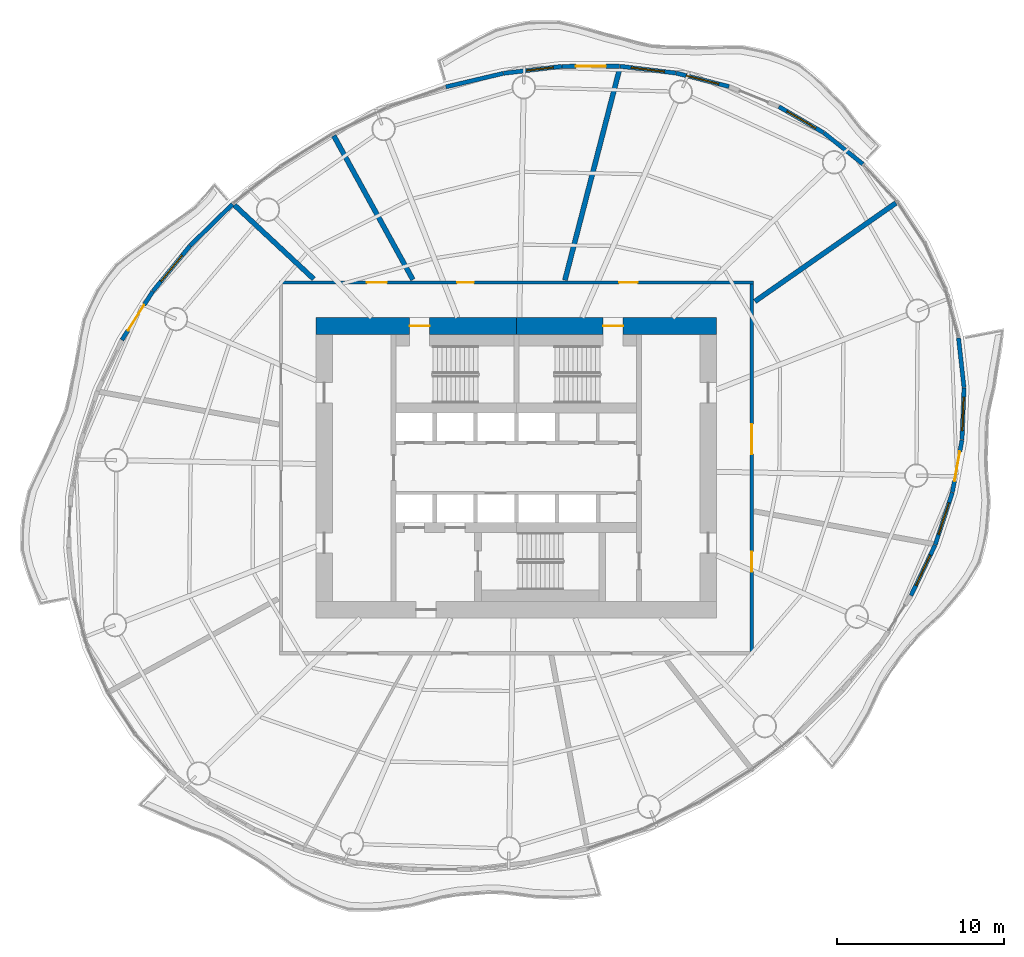
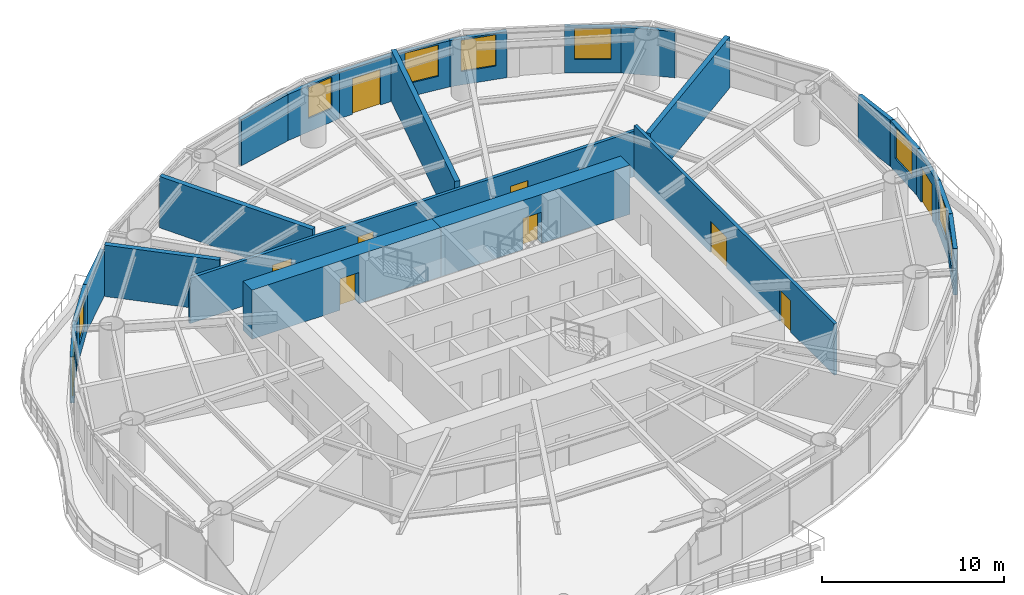
# One storey, part 10 of 14: 23 walls, 10 doors, 8 windows, 18 openings.
"""IFC4 building model written with IfcOpenShell, lengths in metres."""

from ifc_helpers import new_model, si_unit, direction, frame, frame_2d, origin, place, context, subcontext, project, spatial, rectangle, extrude, material, layer, layer_set, type_object, element, fill, save


model = new_model("IFC4")

# Units and contexts
model_context = context("Model", 3, precision=1e-05, world=origin(), true_north=direction((0.0, 1.0)))
body_context = subcontext(model_context, "Body", "Model", "MODEL_VIEW")
ifc_project = project(units=[si_unit("LENGTHUNIT", "METRE"), si_unit("AREAUNIT", "SQUARE_METRE"), si_unit("VOLUMEUNIT", "CUBIC_METRE"), si_unit("PLANEANGLEUNIT", "RADIAN"), si_unit("MASSUNIT", "GRAM", prefix="KILO")], contexts=[model_context])

# Site, building, storey
site_placement = place(None, origin())
site = spatial("IfcSite", under=ifc_project, at=site_placement, CompositionType="ELEMENT")
building_placement = place(site_placement, origin())
building = spatial("IfcBuilding", under=site, at=building_placement, Name="Vermilion Reach Broadcast Tower", CompositionType="ELEMENT")
storey_placement = place(building_placement, frame((0.0, 0.0, 150.60009765625)))
storey = spatial("IfcBuildingStorey", under=building, at=storey_placement, Name="L35", CompositionType="ELEMENT", Elevation=150.60009765625)

# Wall, opening, door
ifc_material_1 = material(Name="Concrete C70", Category="concrete")
ifc_layer_1 = layer(ifc_material_1, 1.0)
ifc_layer_set_1 = layer_set([ifc_layer_1], Name="Core outer wall 1000 mm Concrete C70")
wall_type_1 = type_object("IfcWallType", Name="Core outer wall 1000 mm Concrete C70", PredefinedType="SHEAR", material=ifc_layer_set_1)
wall_1_placement = place(storey_placement, frame((6.0, 8.5, 0.0), z_axis=(0.0, 0.0, 1.0), x_axis=(-1.0, 0.0, 0.0)))
wall_1 = element("IfcWall", 1, at=wall_1_placement, inside=storey, type_object=wall_type_1, Name="L35 core wall onE", PredefinedType="SHEAR", context=body_context, shape_type="SweptSolid", body=[
    extrude(rectangle(XDim=12.0, YDim=1.0, at=frame_2d((6.0, 0.0))), origin(), (0.0, 0.0, 1.0), 3.2998046875),
])
opening_1_placement = place(wall_1_placement, frame((5.60009765625, 0.0, 0.0)))
opening_1 = element("IfcOpeningElement", 2, at=opening_1_placement, cuts=wall_1, Name="Opening D01", PredefinedType="OPENING", context=body_context, shape_type="SweptSolid", body=[
    extrude(rectangle(XDim=1.199951171875, YDim=2.10009765625, at=frame_2d((0.60009765625, 1.050048828125))), frame((0.0, 0.510009765625, 0.0), z_axis=(0.0, -1.0, 0.0), x_axis=(1.0, 0.0, 0.0)), (0.0, 0.0, 1.0), 1.02001953125),
])
ifc_material_2 = material(Name="Painted steel fire door", Category="steel")
door_type_1 = type_object("IfcDoorType", Name="Stair door 1200 x 2100", OperationType="DOUBLE_DOOR_SINGLE_SWING", PredefinedType="NOTDEFINED", material=ifc_material_2)
door_1_placement = place(opening_1_placement, origin())
door_1 = element("IfcDoor", 3, at=door_1_placement, inside=storey, type_object=door_type_1, Name="L35 stair door ST2", OperationType="DOUBLE_DOOR_SINGLE_SWING", OverallHeight=2.10009765625, OverallWidth=1.199951171875, PredefinedType="NOTDEFINED", context=body_context, shape_type="SweptSolid", body=[
    extrude(rectangle(XDim=1.199951171875, YDim=2.10009765625, at=frame_2d((0.60009765625, 1.050048828125))), frame((0.0, 0.02490234375, 0.0), z_axis=(0.0, -1.0, 0.0), x_axis=(1.0, 0.0, 0.0)), (0.0, 0.0, 1.0), 0.050048828125),
])
fill(opening_1, door_1)

wall_2_placement = place(storey_placement, frame((-6.0, 8.5, 0.0), z_axis=(0.0, 0.0, 1.0), x_axis=(-1.0, 0.0, 0.0)))
wall_2 = element("IfcWall", 4, at=wall_2_placement, inside=storey, type_object=wall_type_1, Name="L35 core wall onW", PredefinedType="SHEAR", context=body_context, shape_type="SweptSolid", body=[
    extrude(rectangle(XDim=12.0, YDim=1.0, at=frame_2d((6.0, 0.0))), origin(), (0.0, 0.0, 1.0), 3.2998046875),
])
opening_2_placement = place(wall_2_placement, frame((5.199951171875, 0.0, 0.0)))
opening_2 = element("IfcOpeningElement", 5, at=opening_2_placement, cuts=wall_2, Name="Opening D01", PredefinedType="OPENING", context=body_context, shape_type="SweptSolid", body=[
    extrude(rectangle(XDim=1.199951171875, YDim=2.10009765625, at=frame_2d((0.60009765625, 1.050048828125))), frame((0.0, 0.510009765625, 0.0), z_axis=(0.0, -1.0, 0.0), x_axis=(1.0, 0.0, 0.0)), (0.0, 0.0, 1.0), 1.02001953125),
])
door_2_placement = place(opening_2_placement, origin())
door_2 = element("IfcDoor", 6, at=door_2_placement, inside=storey, type_object=door_type_1, Name="L35 stair door ST1", OperationType="DOUBLE_DOOR_SINGLE_SWING", OverallHeight=2.10009765625, OverallWidth=1.199951171875, PredefinedType="NOTDEFINED", context=body_context, shape_type="SweptSolid", body=[
    extrude(rectangle(XDim=1.199951171875, YDim=2.10009765625, at=frame_2d((0.60009765625, 1.050048828125))), frame((0.0, 0.02490234375, 0.0), z_axis=(0.0, -1.0, 0.0), x_axis=(1.0, 0.0, 0.0)), (0.0, 0.0, 1.0), 0.050048828125),
])
fill(opening_2, door_2)

# Wall, openings, doors
ifc_material_3 = material(Name="Fire-rated gypsum board partition")
ifc_layer_2 = layer(ifc_material_3, 0.199951171875)
ifc_layer_set_2 = layer_set([ifc_layer_2], Name="Corridor wall 200 fire-rated")
wall_type_2 = type_object("IfcWallType", Name="Corridor wall 200 fire-rated", PredefinedType="PARTITIONING", material=ifc_layer_set_2)
wall_3_placement = place(storey_placement, frame((8.10009765625, 11.0, 0.0), z_axis=(0.0, 0.0, 1.0), x_axis=(0.0, -1.0, 0.0)))
wall_3 = element("IfcWall", 7, at=wall_3_placement, inside=storey, type_object=wall_type_2, Name="Corridor wall 35.E", PredefinedType="PARTITIONING", context=body_context, shape_type="SweptSolid", body=[
    extrude(rectangle(XDim=22.0, YDim=0.199951171875, at=frame_2d((11.0, 0.0))), origin(), (0.0, 0.0, 1.0), 3.449951171875),
])
opening_3_placement = place(wall_3_placement, frame((16.014404296875, 0.0, 0.0)))
opening_3 = element("IfcOpeningElement", 8, at=opening_3_placement, cuts=wall_3, Name="Opening D26", PredefinedType="OPENING", context=body_context, shape_type="SweptSolid", body=[
    extrude(rectangle(XDim=1.199951171875, YDim=2.10009765625, at=frame_2d((0.60009765625, 1.050048828125))), frame((0.0, 0.10986328125, 0.0), z_axis=(0.0, -1.0, 0.0), x_axis=(1.0, 0.0, 0.0)), (0.0, 0.0, 1.0), 0.219970703125),
])
opening_4_placement = place(wall_3_placement, frame((8.381103515625, 0.0, 0.0)))
opening_4 = element("IfcOpeningElement", 9, at=opening_4_placement, cuts=wall_3, Name="Opening D21", PredefinedType="OPENING", context=body_context, shape_type="SweptSolid", body=[
    extrude(rectangle(XDim=1.800048828125, YDim=2.10009765625, at=frame_2d((0.89990234375, 1.050048828125))), frame((0.0, 0.10986328125, 0.0), z_axis=(0.0, -1.0, 0.0), x_axis=(1.0, 0.0, 0.0)), (0.0, 0.0, 1.0), 0.219970703125),
])
ifc_material_4 = material(Name="Timber door leaf", Category="wood")
door_type_2 = type_object("IfcDoorType", Name="Door pair 1800x2100", OperationType="NOTDEFINED", PredefinedType="DOOR", material=ifc_material_4)
door_3_placement = place(opening_4_placement, origin())
door_3 = element("IfcDoor", 10, at=door_3_placement, inside=storey, type_object=door_type_2, Name="Door 35.10", OperationType="DOUBLE_DOOR_SINGLE_SWING", OverallHeight=2.10009765625, OverallWidth=1.800048828125, PredefinedType="DOOR", context=body_context, shape_type="SweptSolid", body=[
    extrude(rectangle(XDim=1.800048828125, YDim=2.10009765625, at=frame_2d((0.89990234375, 1.050048828125))), frame((0.0, 0.02490234375, 0.0), z_axis=(0.0, -1.0, 0.0), x_axis=(1.0, 0.0, 0.0)), (0.0, 0.0, 1.0), 0.050048828125),
])
fill(opening_4, door_3)
ifc_material_5 = material(Name="Acoustic timber door leaf", Category="wood")
door_type_3 = type_object("IfcDoorType", Name="Door single 1200x2100", OperationType="NOTDEFINED", PredefinedType="DOOR", material=ifc_material_5)
door_4_placement = place(opening_3_placement, origin())
door_4 = element("IfcDoor", 11, at=door_4_placement, inside=storey, type_object=door_type_3, Name="Door 35.09", OperationType="SINGLE_SWING_LEFT", OverallHeight=2.10009765625, OverallWidth=1.199951171875, PredefinedType="DOOR", context=body_context, shape_type="SweptSolid", body=[
    extrude(rectangle(XDim=1.199951171875, YDim=2.10009765625, at=frame_2d((0.60009765625, 1.050048828125))), frame((0.0, 0.02490234375, 0.0), z_axis=(0.0, -1.0, 0.0), x_axis=(1.0, 0.0, 0.0)), (0.0, 0.0, 1.0), 0.050048828125),
])
fill(opening_3, door_4)

# Walls
ifc_material_6 = material(Name="Double-leaf plasterboard on isolated steel stud", Category="steel")
ifc_layer_3 = layer(ifc_material_6, 0.300048828125)
ifc_layer_set_3 = layer_set([ifc_layer_3], Name="Partition 300 acoustic double leaf")
wall_type_3 = type_object("IfcWallType", Name="Partition 300 acoustic double leaf", PredefinedType="PARTITIONING", material=ifc_layer_set_3)
wall_4_placement = place(storey_placement, frame((16.730712890625, 15.8642578125, 0.0), z_axis=(0.0, 0.0, 1.0), x_axis=(-0.820033028479, -0.572316199494, 0.0)))
element("IfcWall", 12, at=wall_4_placement, inside=storey, type_object=wall_type_3, Name="Partition 35.01", PredefinedType="PARTITIONING", context=body_context, shape_type="SweptSolid", body=[
    extrude(rectangle(XDim=10.298095703125, YDim=0.300048828125, at=frame_2d((5.14892578125, 0.0))), origin(), (0.0, 0.0, 1.0), 3.449951171875),
])
wall_5_placement = place(storey_placement, frame((0.191650390625, 23.93115234375, 0.0), z_axis=(0.0, 0.0, 1.0), x_axis=(-0.25047941352, -0.968121925897, 0.0)))
element("IfcWall", 13, at=wall_5_placement, inside=storey, type_object=wall_type_3, Name="Partition 35.02", PredefinedType="PARTITIONING", context=body_context, shape_type="SweptSolid", body=[
    extrude(rectangle(XDim=13.111572265625, YDim=0.300048828125, at=frame_2d((6.5556640625, 0.0))), origin(), (0.0, 0.0, 1.0), 3.449951171875),
])
wall_6_placement = place(storey_placement, frame((-16.936767578125, 19.893798828125, 0.0), z_axis=(0.0, 0.0, 1.0), x_axis=(0.48175299215, -0.87630705495, 0.0)))
element("IfcWall", 14, at=wall_6_placement, inside=storey, type_object=wall_type_3, Name="Partition 35.03", PredefinedType="PARTITIONING", context=body_context, shape_type="SweptSolid", body=[
    extrude(rectangle(XDim=9.838623046875, YDim=0.300048828125, at=frame_2d((4.91943359375, 0.0))), origin(), (0.0, 0.0, 1.0), 3.449951171875),
])
wall_7_placement = place(storey_placement, frame((-22.883056640625, 15.73681640625, 0.0), z_axis=(0.0, 0.0, 1.0), x_axis=(0.731506509166, -0.681834457217, 0.0)))
element("IfcWall", 15, at=wall_7_placement, inside=storey, type_object=wall_type_3, Name="Partition 35.04", PredefinedType="PARTITIONING", context=body_context, shape_type="SweptSolid", body=[
    extrude(rectangle(XDim=6.49267578125, YDim=0.300048828125, at=frame_2d((3.246337890625, 0.0))), origin(), (0.0, 0.0, 1.0), 3.449951171875),
])
ifc_material_7 = material(Name="Terracotta rainscreen cladding", Category="masonry")
ifc_layer_4 = layer(ifc_material_7, 0.25)
ifc_layer_set_4 = layer_set([ifc_layer_4], Name="Terracotta rainscreen wall 250")
wall_type_4 = type_object("IfcWallType", Name="Terracotta rainscreen wall 250", PredefinedType="SOLIDWALL", material=ifc_layer_set_4)
wall_8_placement = place(storey_placement, frame((14.757568359375, 18.19384765625, 0.0), z_axis=(0.0, 0.0, 1.0), x_axis=(-0.780485864534, 0.625173428148, 0.0)))
element("IfcWall", 16, at=wall_8_placement, inside=storey, type_object=wall_type_4, Name="External wall L35 02", PredefinedType="SOLIDWALL", context=body_context, shape_type="SweptSolid", body=[
    extrude(rectangle(XDim=2.986572265625, YDim=0.25, at=frame_2d((1.4931640625, 0.0))), origin(), (0.0, 0.0, 1.0), 3.099853515625),
])

# Wall, opening, window
wall_9_placement = place(storey_placement, frame((12.404541015625, 20.076171875, 0.0), z_axis=(0.0, 0.0, 1.0), x_axis=(-0.864615512978, 0.502434089925, 0.0)))
wall_9 = element("IfcWall", 17, at=wall_9_placement, inside=storey, type_object=wall_type_4, Name="External wall L35 03", PredefinedType="SOLIDWALL", context=body_context, shape_type="SweptSolid", body=[
    extrude(rectangle(XDim=3.0966796875, YDim=0.25, at=frame_2d((1.54833984375, 0.0))), origin(), (0.0, 0.0, 1.0), 3.099853515625),
])
opening_5_placement = place(wall_9_placement, frame((0.54833984375, 0.0, 0.89990234375)))
opening_5 = element("IfcOpeningElement", 18, at=opening_5_placement, cuts=wall_9, Name="Opening W03", PredefinedType="OPENING", context=body_context, shape_type="SweptSolid", body=[
    extrude(rectangle(XDim=2.0, YDim=2.10009765625, at=frame_2d((1.0, 1.050048828125))), frame((0.0, 0.135009765625, 0.0), z_axis=(0.0, -1.0, 0.0), x_axis=(1.0, 0.0, 0.0)), (0.0, 0.0, 1.0), 0.27001953125),
])
ifc_material_8 = material(Name="Low-e laminated clear glass in aluminium frame", Category="aluminium")
window_type_1 = type_object("IfcWindowType", Name="Punched window 2000 x 2100 sill 900", PartitioningType="SINGLE_PANEL", PredefinedType="WINDOW", material=ifc_material_8)
window_1_placement = place(opening_5_placement, origin())
window_1 = element("IfcWindow", 19, at=window_1_placement, inside=storey, type_object=window_type_1, Name="Window L35 03", OverallHeight=2.10009765625, OverallWidth=2.0, PartitioningType="SINGLE_PANEL", PredefinedType="WINDOW", context=body_context, shape_type="SweptSolid", body=[
    extrude(rectangle(XDim=2.0, YDim=2.10009765625, at=frame_2d((1.0, 1.050048828125))), frame((0.0, 0.030029296875, 0.0), z_axis=(0.0, -1.0, 0.0), x_axis=(1.0, 0.0, 0.0)), (0.0, 0.0, 1.0), 0.06005859375),
])
fill(opening_5, window_1)

wall_10_placement = place(storey_placement, frame((6.7333984375, 22.842041015625, 0.0), z_axis=(0.0, 0.0, 1.0), x_axis=(-0.969199069112, 0.246278631701, 0.0)))
wall_10 = element("IfcWall", 20, at=wall_10_placement, inside=storey, type_object=wall_type_4, Name="External wall L35 05", PredefinedType="SOLIDWALL", context=body_context, shape_type="SweptSolid", body=[
    extrude(rectangle(XDim=3.267333984375, YDim=0.25, at=frame_2d((1.6337890625, 0.0))), origin(), (0.0, 0.0, 1.0), 3.099853515625),
])
opening_6_placement = place(wall_10_placement, frame((0.6337890625, 0.0, 0.89990234375)))
opening_6 = element("IfcOpeningElement", 21, at=opening_6_placement, cuts=wall_10, Name="Opening W03", PredefinedType="OPENING", context=body_context, shape_type="SweptSolid", body=[
    extrude(rectangle(XDim=2.0, YDim=2.10009765625, at=frame_2d((1.0, 1.050048828125))), frame((0.0, 0.135009765625, 0.0), z_axis=(0.0, -1.0, 0.0), x_axis=(1.0, 0.0, 0.0)), (0.0, 0.0, 1.0), 0.27001953125),
])
window_2_placement = place(opening_6_placement, origin())
window_2 = element("IfcWindow", 22, at=window_2_placement, inside=storey, type_object=window_type_1, Name="Window L35 05", OverallHeight=2.10009765625, OverallWidth=2.0, PartitioningType="SINGLE_PANEL", PredefinedType="WINDOW", context=body_context, shape_type="SweptSolid", body=[
    extrude(rectangle(XDim=2.0, YDim=2.10009765625, at=frame_2d((1.0, 1.050048828125))), frame((0.0, 0.030029296875, 0.0), z_axis=(0.0, -1.0, 0.0), x_axis=(1.0, 0.0, 0.0)), (0.0, 0.0, 1.0), 0.06005859375),
])
fill(opening_6, window_2)

wall_11_placement = place(storey_placement, frame((3.54296875, 23.651123046875, 0.0), z_axis=(0.0, 0.0, 1.0), x_axis=(-0.992754830244, 0.120157592466, 0.0)))
wall_11 = element("IfcWall", 23, at=wall_11_placement, inside=storey, type_object=wall_type_4, Name="External wall L35 06", PredefinedType="SOLIDWALL", context=body_context, shape_type="SweptSolid", body=[
    extrude(rectangle(XDim=3.356689453125, YDim=0.25, at=frame_2d((1.67822265625, 0.0))), origin(), (0.0, 0.0, 1.0), 3.099853515625),
])
opening_7_placement = place(wall_11_placement, frame((0.678466796875, 0.0, 0.89990234375)))
opening_7 = element("IfcOpeningElement", 24, at=opening_7_placement, cuts=wall_11, Name="Opening W03", PredefinedType="OPENING", context=body_context, shape_type="SweptSolid", body=[
    extrude(rectangle(XDim=2.0, YDim=2.10009765625, at=frame_2d((1.0, 1.050048828125))), frame((0.0, 0.135009765625, 0.0), z_axis=(0.0, -1.0, 0.0), x_axis=(1.0, 0.0, 0.0)), (0.0, 0.0, 1.0), 0.27001953125),
])
window_3_placement = place(opening_7_placement, origin())
window_3 = element("IfcWindow", 25, at=window_3_placement, inside=storey, type_object=window_type_1, Name="Window L35 06", OverallHeight=2.10009765625, OverallWidth=2.0, PartitioningType="SINGLE_PANEL", PredefinedType="WINDOW", context=body_context, shape_type="SweptSolid", body=[
    extrude(rectangle(XDim=2.0, YDim=2.10009765625, at=frame_2d((1.0, 1.050048828125))), frame((0.0, 0.030029296875, 0.0), z_axis=(0.0, -1.0, 0.0), x_axis=(1.0, 0.0, 0.0)), (0.0, 0.0, 1.0), 0.06005859375),
])
fill(opening_7, window_3)

# Wall, opening, door
wall_12_placement = place(storey_placement, frame((0.187255859375, 24.055908203125, 0.0), z_axis=(0.0, 0.0, 1.0), x_axis=(-0.999998549944, -0.001702970638, 0.0)))
wall_12 = element("IfcWall", 26, at=wall_12_placement, inside=storey, type_object=wall_type_4, Name="External wall L35 07", PredefinedType="SOLIDWALL", context=body_context, shape_type="SweptSolid", body=[
    extrude(rectangle(XDim=3.440673828125, YDim=0.25, at=frame_2d((1.72021484375, 0.0))), origin(), (0.0, 0.0, 1.0), 3.099853515625),
])
opening_8_placement = place(wall_12_placement, frame((0.820068359375, 0.0, 0.0)))
opening_8 = element("IfcOpeningElement", 27, at=opening_8_placement, cuts=wall_12, Name="Opening D70", PredefinedType="OPENING", context=body_context, shape_type="SweptSolid", body=[
    extrude(rectangle(XDim=1.800048828125, YDim=2.39990234375, at=frame_2d((0.89990234375, 1.199951171875))), frame((0.0, 0.135009765625, 0.0), z_axis=(0.0, -1.0, 0.0), x_axis=(1.0, 0.0, 0.0)), (0.0, 0.0, 1.0), 0.27001953125),
])
ifc_material_9 = material(Name="Low-e laminated clear glass in aluminium frame", Category="aluminium")
door_type_4 = type_object("IfcDoorType", Name="Balcony sliding door 1800 x 2400", OperationType="DOUBLE_DOOR_SLIDING", PredefinedType="DOOR", material=ifc_material_9)
door_5_placement = place(opening_8_placement, origin())
door_5 = element("IfcDoor", 28, at=door_5_placement, inside=storey, type_object=door_type_4, Name="Balcony door L35 run 02", OperationType="DOUBLE_DOOR_SLIDING", OverallHeight=2.39990234375, OverallWidth=1.800048828125, PredefinedType="DOOR", context=body_context, shape_type="SweptSolid", body=[
    extrude(rectangle(XDim=1.800048828125, YDim=2.39990234375, at=frame_2d((0.89990234375, 1.199951171875))), frame((0.0, 0.02490234375, 0.0), z_axis=(0.0, -1.0, 0.0), x_axis=(1.0, 0.0, 0.0)), (0.0, 0.0, 1.0), 0.050048828125),
])
fill(opening_8, door_5)

# Wall, opening, window
wall_13_placement = place(storey_placement, frame((-3.27587890625, 24.048583984375, 0.0), z_axis=(0.0, 0.0, 1.0), x_axis=(-0.992969234445, -0.11837271411, 0.0)))
wall_13 = element("IfcWall", 29, at=wall_13_placement, inside=storey, type_object=wall_type_4, Name="External wall L35 08", PredefinedType="SOLIDWALL", context=body_context, shape_type="SweptSolid", body=[
    extrude(rectangle(XDim=3.514404296875, YDim=0.25, at=frame_2d((1.75732421875, 0.0))), origin(), (0.0, 0.0, 1.0), 3.099853515625),
])
opening_9_placement = place(wall_13_placement, frame((0.507080078125, 0.0, 0.89990234375)))
opening_9 = element("IfcOpeningElement", 30, at=opening_9_placement, cuts=wall_13, Name="Opening W04", PredefinedType="OPENING", context=body_context, shape_type="SweptSolid", body=[
    extrude(rectangle(XDim=1.60009765625, YDim=2.10009765625, at=frame_2d((0.800048828125, 1.050048828125))), frame((0.0, 0.135009765625, 0.0), z_axis=(0.0, -1.0, 0.0), x_axis=(1.0, 0.0, 0.0)), (0.0, 0.0, 1.0), 0.27001953125),
])
ifc_material_10 = material(Name="Low-e laminated clear glass in aluminium frame", Category="aluminium")
window_type_2 = type_object("IfcWindowType", Name="Punched window 1600 x 2100 sill 900", PartitioningType="SINGLE_PANEL", PredefinedType="WINDOW", material=ifc_material_10)
window_4_placement = place(opening_9_placement, origin())
window_4 = element("IfcWindow", 31, at=window_4_placement, inside=storey, type_object=window_type_2, Name="Window L35 08", OverallHeight=2.10009765625, OverallWidth=1.60009765625, PartitioningType="SINGLE_PANEL", PredefinedType="WINDOW", context=body_context, shape_type="SweptSolid", body=[
    extrude(rectangle(XDim=1.60009765625, YDim=2.10009765625, at=frame_2d((0.800048828125, 1.050048828125))), frame((0.0, 0.030029296875, 0.0), z_axis=(0.0, -1.0, 0.0), x_axis=(1.0, 0.0, 0.0)), (0.0, 0.0, 1.0), 0.06005859375),
])
fill(opening_9, window_4)

# Walls
wall_14_placement = place(storey_placement, frame((-6.787353515625, 23.62890625, 0.0), z_axis=(0.0, 0.0, 1.0), x_axis=(-0.973349080419, -0.229328514683, 0.0)))
element("IfcWall", 32, at=wall_14_placement, inside=storey, type_object=wall_type_4, Name="External wall L35 09", PredefinedType="SOLIDWALL", context=body_context, shape_type="SweptSolid", body=[
    extrude(rectangle(XDim=3.529052734375, YDim=0.25, at=frame_2d((1.7646484375, 0.0))), origin(), (0.0, 0.0, 1.0), 3.099853515625),
])
wall_15_placement = place(storey_placement, frame((-23.004638671875, 15.79248046875, 0.0), z_axis=(0.0, 0.0, 1.0), x_axis=(-0.715154193922, -0.698966722324, 0.0)))
element("IfcWall", 33, at=wall_15_placement, inside=storey, type_object=wall_type_4, Name="External wall L35 14", PredefinedType="SOLIDWALL", context=body_context, shape_type="SweptSolid", body=[
    extrude(rectangle(XDim=3.529296875, YDim=0.25, at=frame_2d((1.7646484375, 0.0))), origin(), (0.0, 0.0, 1.0), 3.099853515625),
])

# Wall, opening, window
wall_16_placement = place(storey_placement, frame((-25.54345703125, 13.3095703125, 0.0), z_axis=(0.0, 0.0, 1.0), x_axis=(-0.631962066668, -0.774999320188, 0.0)))
wall_16 = element("IfcWall", 34, at=wall_16_placement, inside=storey, type_object=wall_type_4, Name="External wall L35 15", PredefinedType="SOLIDWALL", context=body_context, shape_type="SweptSolid", body=[
    extrude(rectangle(XDim=3.514404296875, YDim=0.25, at=frame_2d((1.75732421875, 0.0))), origin(), (0.0, 0.0, 1.0), 3.099853515625),
])
opening_10_placement = place(wall_16_placement, frame((0.757080078125, 0.0, 0.89990234375)))
opening_10 = element("IfcOpeningElement", 35, at=opening_10_placement, cuts=wall_16, Name="Opening W03", PredefinedType="OPENING", context=body_context, shape_type="SweptSolid", body=[
    extrude(rectangle(XDim=2.0, YDim=2.10009765625, at=frame_2d((1.0, 1.050048828125))), frame((0.0, 0.135009765625, 0.0), z_axis=(0.0, -1.0, 0.0), x_axis=(1.0, 0.0, 0.0)), (0.0, 0.0, 1.0), 0.27001953125),
])
window_5_placement = place(opening_10_placement, origin())
window_5 = element("IfcWindow", 36, at=window_5_placement, inside=storey, type_object=window_type_1, Name="Window L35 15", OverallHeight=2.10009765625, OverallWidth=2.0, PartitioningType="SINGLE_PANEL", PredefinedType="WINDOW", context=body_context, shape_type="SweptSolid", body=[
    extrude(rectangle(XDim=2.0, YDim=2.10009765625, at=frame_2d((1.0, 1.050048828125))), frame((0.0, 0.030029296875, 0.0), z_axis=(0.0, -1.0, 0.0), x_axis=(1.0, 0.0, 0.0)), (0.0, 0.0, 1.0), 0.06005859375),
])
fill(opening_10, window_5)

# Wall, opening, door
wall_17_placement = place(storey_placement, frame((-27.77783203125, 10.567626953125, 0.0), z_axis=(0.0, 0.0, 1.0), x_axis=(-0.537256497047, -0.843418909191, 0.0)))
wall_17 = element("IfcWall", 37, at=wall_17_placement, inside=storey, type_object=wall_type_4, Name="External wall L35 16", PredefinedType="SOLIDWALL", context=body_context, shape_type="SweptSolid", body=[
    extrude(rectangle(XDim=3.44091796875, YDim=0.25, at=frame_2d((1.720458984375, 0.0))), origin(), (0.0, 0.0, 1.0), 3.099853515625),
])
opening_11_placement = place(wall_17_placement, frame((0.969970703125, 0.0, 0.0)))
opening_11 = element("IfcOpeningElement", 38, at=opening_11_placement, cuts=wall_17, Name="Opening D70", PredefinedType="OPENING", context=body_context, shape_type="SweptSolid", body=[
    extrude(rectangle(XDim=1.800048828125, YDim=2.39990234375, at=frame_2d((0.89990234375, 1.199951171875))), frame((0.0, 0.135009765625, 0.0), z_axis=(0.0, -1.0, 0.0), x_axis=(1.0, 0.0, 0.0)), (0.0, 0.0, 1.0), 0.27001953125),
])
door_6_placement = place(opening_11_placement, origin())
door_6 = element("IfcDoor", 39, at=door_6_placement, inside=storey, type_object=door_type_4, Name="Balcony door L35 run 04", OperationType="DOUBLE_DOOR_SLIDING", OverallHeight=2.39990234375, OverallWidth=1.800048828125, PredefinedType="DOOR", context=body_context, shape_type="SweptSolid", body=[
    extrude(rectangle(XDim=1.800048828125, YDim=2.39990234375, at=frame_2d((0.89990234375, 1.199951171875))), frame((0.0, 0.02490234375, 0.0), z_axis=(0.0, -1.0, 0.0), x_axis=(1.0, 0.0, 0.0)), (0.0, 0.0, 1.0), 0.050048828125),
])
fill(opening_11, door_6)

# Wall, opening, window
wall_18_placement = place(storey_placement, frame((17.6376953125, -7.645263671875, 0.0), z_axis=(0.0, 0.0, 1.0), x_axis=(0.430495314567, 0.902592811923, 0.0)))
wall_18 = element("IfcWall", 40, at=wall_18_placement, inside=storey, type_object=wall_type_4, Name="External wall L35 41", PredefinedType="SOLIDWALL", context=body_context, shape_type="SweptSolid", body=[
    extrude(rectangle(XDim=3.356689453125, YDim=0.25, at=frame_2d((1.67822265625, 0.0))), origin(), (0.0, 0.0, 1.0), 3.099853515625),
])
opening_12_placement = place(wall_18_placement, frame((0.678466796875, 0.0, 0.89990234375)))
opening_12 = element("IfcOpeningElement", 41, at=opening_12_placement, cuts=wall_18, Name="Opening W03", PredefinedType="OPENING", context=body_context, shape_type="SweptSolid", body=[
    extrude(rectangle(XDim=2.0, YDim=2.10009765625, at=frame_2d((1.0, 1.050048828125))), frame((0.0, 0.135009765625, 0.0), z_axis=(0.0, -1.0, 0.0), x_axis=(1.0, 0.0, 0.0)), (0.0, 0.0, 1.0), 0.27001953125),
])
window_6_placement = place(opening_12_placement, origin())
window_6 = element("IfcWindow", 42, at=window_6_placement, inside=storey, type_object=window_type_1, Name="Window L35 41", OverallHeight=2.10009765625, OverallWidth=2.0, PartitioningType="SINGLE_PANEL", PredefinedType="WINDOW", context=body_context, shape_type="SweptSolid", body=[
    extrude(rectangle(XDim=2.0, YDim=2.10009765625, at=frame_2d((1.0, 1.050048828125))), frame((0.0, 0.030029296875, 0.0), z_axis=(0.0, -1.0, 0.0), x_axis=(1.0, 0.0, 0.0)), (0.0, 0.0, 1.0), 0.06005859375),
])
fill(opening_12, window_6)

wall_19_placement = place(storey_placement, frame((19.091552734375, -4.59326171875, 0.0), z_axis=(0.0, 0.0, 1.0), x_axis=(0.311426794422, 0.950270146704, 0.0)))
wall_19 = element("IfcWall", 43, at=wall_19_placement, inside=storey, type_object=wall_type_4, Name="External wall L35 42", PredefinedType="SOLIDWALL", context=body_context, shape_type="SweptSolid", body=[
    extrude(rectangle(XDim=3.267578125, YDim=0.25, at=frame_2d((1.6337890625, 0.0))), origin(), (0.0, 0.0, 1.0), 3.099853515625),
])
opening_13_placement = place(wall_19_placement, frame((0.6337890625, 0.0, 0.89990234375)))
opening_13 = element("IfcOpeningElement", 44, at=opening_13_placement, cuts=wall_19, Name="Opening W03", PredefinedType="OPENING", context=body_context, shape_type="SweptSolid", body=[
    extrude(rectangle(XDim=2.0, YDim=2.10009765625, at=frame_2d((1.0, 1.050048828125))), frame((0.0, 0.135009765625, 0.0), z_axis=(0.0, -1.0, 0.0), x_axis=(1.0, 0.0, 0.0)), (0.0, 0.0, 1.0), 0.27001953125),
])
window_7_placement = place(opening_13_placement, origin())
window_7 = element("IfcWindow", 45, at=window_7_placement, inside=storey, type_object=window_type_1, Name="Window L35 42", OverallHeight=2.10009765625, OverallWidth=2.0, PartitioningType="SINGLE_PANEL", PredefinedType="WINDOW", context=body_context, shape_type="SweptSolid", body=[
    extrude(rectangle(XDim=2.0, YDim=2.10009765625, at=frame_2d((1.0, 1.050048828125))), frame((0.0, 0.030029296875, 0.0), z_axis=(0.0, -1.0, 0.0), x_axis=(1.0, 0.0, 0.0)), (0.0, 0.0, 1.0), 0.06005859375),
])
fill(opening_13, window_7)

# Wall, opening, door
wall_20_placement = place(storey_placement, frame((20.115234375, -1.464111328125, 0.0), z_axis=(0.0, 0.0, 1.0), x_axis=(0.18041951624, 0.983589750943, 0.0)))
wall_20 = element("IfcWall", 46, at=wall_20_placement, inside=storey, type_object=wall_type_4, Name="External wall L35 43", PredefinedType="SOLIDWALL", context=body_context, shape_type="SweptSolid", body=[
    extrude(rectangle(XDim=3.1787109375, YDim=0.25, at=frame_2d((1.58935546875, 0.0))), origin(), (0.0, 0.0, 1.0), 3.099853515625),
])
opening_14_placement = place(wall_20_placement, frame((0.68896484375, 0.0, 0.0)))
opening_14 = element("IfcOpeningElement", 47, at=opening_14_placement, cuts=wall_20, Name="Opening D70", PredefinedType="OPENING", context=body_context, shape_type="SweptSolid", body=[
    extrude(rectangle(XDim=1.800048828125, YDim=2.39990234375, at=frame_2d((0.89990234375, 1.199951171875))), frame((0.0, 0.135009765625, 0.0), z_axis=(0.0, -1.0, 0.0), x_axis=(1.0, 0.0, 0.0)), (0.0, 0.0, 1.0), 0.27001953125),
])
door_7_placement = place(opening_14_placement, origin())
door_7 = element("IfcDoor", 48, at=door_7_placement, inside=storey, type_object=door_type_4, Name="Balcony door L35 run 11", OperationType="DOUBLE_DOOR_SLIDING", OverallHeight=2.39990234375, OverallWidth=1.800048828125, PredefinedType="DOOR", context=body_context, shape_type="SweptSolid", body=[
    extrude(rectangle(XDim=1.800048828125, YDim=2.39990234375, at=frame_2d((0.89990234375, 1.199951171875))), frame((0.0, 0.02490234375, 0.0), z_axis=(0.0, -1.0, 0.0), x_axis=(1.0, 0.0, 0.0)), (0.0, 0.0, 1.0), 0.050048828125),
])
fill(opening_14, door_7)

# Wall, opening, window
wall_21_placement = place(storey_placement, frame((20.69140625, 1.687744140625, 0.0), z_axis=(0.0, 0.0, 1.0), x_axis=(0.039102222246, 0.99923521566, 0.0)))
wall_21 = element("IfcWall", 49, at=wall_21_placement, inside=storey, type_object=wall_type_4, Name="External wall L35 44", PredefinedType="SOLIDWALL", context=body_context, shape_type="SweptSolid", body=[
    extrude(rectangle(XDim=3.096923828125, YDim=0.25, at=frame_2d((1.54833984375, 0.0))), origin(), (0.0, 0.0, 1.0), 3.099853515625),
])
opening_15_placement = place(wall_21_placement, frame((0.54833984375, 0.0, 0.89990234375)))
opening_15 = element("IfcOpeningElement", 50, at=opening_15_placement, cuts=wall_21, Name="Opening W03", PredefinedType="OPENING", context=body_context, shape_type="SweptSolid", body=[
    extrude(rectangle(XDim=2.0, YDim=2.10009765625, at=frame_2d((1.0, 1.050048828125))), frame((0.0, 0.135009765625, 0.0), z_axis=(0.0, -1.0, 0.0), x_axis=(1.0, 0.0, 0.0)), (0.0, 0.0, 1.0), 0.27001953125),
])
window_8_placement = place(opening_15_placement, origin())
window_8 = element("IfcWindow", 51, at=window_8_placement, inside=storey, type_object=window_type_1, Name="Window L35 44", OverallHeight=2.10009765625, OverallWidth=2.0, PartitioningType="SINGLE_PANEL", PredefinedType="WINDOW", context=body_context, shape_type="SweptSolid", body=[
    extrude(rectangle(XDim=2.0, YDim=2.10009765625, at=frame_2d((1.0, 1.050048828125))), frame((0.0, 0.030029296875, 0.0), z_axis=(0.0, -1.0, 0.0), x_axis=(1.0, 0.0, 0.0)), (0.0, 0.0, 1.0), 0.06005859375),
])
fill(opening_15, window_8)

# Wall
wall_22_placement = place(storey_placement, frame((20.8115234375, 4.808837890625, 0.0), z_axis=(0.0, 0.0, 1.0), x_axis=(-0.109695830788, 0.993965202966, 0.0)))
element("IfcWall", 52, at=wall_22_placement, inside=storey, type_object=wall_type_4, Name="External wall L35 45", PredefinedType="SOLIDWALL", context=body_context, shape_type="SweptSolid", body=[
    extrude(rectangle(XDim=2.98681640625, YDim=0.25, at=frame_2d((1.493408203125, 0.0))), origin(), (0.0, 0.0, 1.0), 3.099853515625),
])

# Wall, openings, doors
ifc_material_11 = material(Name="Fire-rated gypsum board partition")
ifc_layer_5 = layer(ifc_material_11, 0.199951171875)
ifc_layer_set_5 = layer_set([ifc_layer_5], Name="Under girder: Corridor wall 200 fire-rated")
wall_type_5 = type_object("IfcWallType", Name="Under girder: Corridor wall 200 fire-rated", PredefinedType="PARTITIONING", material=ifc_layer_set_5)
wall_23_placement = place(storey_placement, frame((-20.199951171875, 11.10009765625, 0.0), z_axis=(0.0, 0.0, 1.0), x_axis=(1.0, 0.0, 0.0)))
wall_23 = element("IfcWall", 53, at=wall_23_placement, inside=storey, type_object=wall_type_5, Name="Corridor wall 35.N", PredefinedType="PARTITIONING", context=body_context, shape_type="SweptSolid", body=[
    extrude(rectangle(XDim=28.39990234375, YDim=0.199951171875, at=frame_2d((14.199951171875, 0.0))), origin(), (0.0, 0.0, 1.0), 3.0498046875),
])
opening_16_placement = place(wall_23_placement, frame((20.3583984375, 0.0, 0.0)))
opening_16 = element("IfcOpeningElement", 54, at=opening_16_placement, cuts=wall_23, Name="Opening D28", PredefinedType="OPENING", context=body_context, shape_type="SweptSolid", body=[
    extrude(rectangle(XDim=1.10009765625, YDim=2.10009765625, at=frame_2d((0.550048828125, 1.050048828125))), frame((0.0, 0.10986328125, 0.0), z_axis=(0.0, -1.0, 0.0), x_axis=(1.0, 0.0, 0.0)), (0.0, 0.0, 1.0), 0.219970703125),
])
opening_17_placement = place(wall_23_placement, frame((10.6591796875, 0.0, 0.0)))
opening_17 = element("IfcOpeningElement", 55, at=opening_17_placement, cuts=wall_23, Name="Opening D20", PredefinedType="OPENING", context=body_context, shape_type="SweptSolid", body=[
    extrude(rectangle(XDim=1.0, YDim=2.10009765625, at=frame_2d((0.5, 1.050048828125))), frame((0.0, 0.10986328125, 0.0), z_axis=(0.0, -1.0, 0.0), x_axis=(1.0, 0.0, 0.0)), (0.0, 0.0, 1.0), 0.219970703125),
])
opening_18_placement = place(wall_23_placement, frame((5.2451171875, 0.0, 0.0)))
opening_18 = element("IfcOpeningElement", 56, at=opening_18_placement, cuts=wall_23, Name="Opening D26", PredefinedType="OPENING", context=body_context, shape_type="SweptSolid", body=[
    extrude(rectangle(XDim=1.199951171875, YDim=2.10009765625, at=frame_2d((0.60009765625, 1.050048828125))), frame((0.0, 0.10986328125, 0.0), z_axis=(0.0, -1.0, 0.0), x_axis=(1.0, 0.0, 0.0)), (0.0, 0.0, 1.0), 0.219970703125),
])
ifc_material_12 = material(Name="Timber door leaf", Category="wood")
door_type_5 = type_object("IfcDoorType", Name="Door single 1000x2100", OperationType="NOTDEFINED", PredefinedType="DOOR", material=ifc_material_12)
door_8_placement = place(opening_17_placement, origin())
door_8 = element("IfcDoor", 57, at=door_8_placement, inside=storey, type_object=door_type_5, Name="Door 35.02", OperationType="SINGLE_SWING_LEFT", OverallHeight=2.10009765625, OverallWidth=1.0, PredefinedType="DOOR", context=body_context, shape_type="SweptSolid", body=[
    extrude(rectangle(XDim=1.0, YDim=2.10009765625, at=frame_2d((0.5, 1.050048828125))), frame((0.0, 0.02490234375, 0.0), z_axis=(0.0, -1.0, 0.0), x_axis=(1.0, 0.0, 0.0)), (0.0, 0.0, 1.0), 0.050048828125),
])
fill(opening_17, door_8)
ifc_material_13 = material(Name="Acoustic sound-lock door leaf")
door_type_6 = type_object("IfcDoorType", Name="Door single 1100x2100", OperationType="NOTDEFINED", PredefinedType="DOOR", material=ifc_material_13)
door_9_placement = place(opening_16_placement, origin())
door_9 = element("IfcDoor", 58, at=door_9_placement, inside=storey, type_object=door_type_6, Name="Door 35.01", OperationType="SINGLE_SWING_LEFT", OverallHeight=2.10009765625, OverallWidth=1.10009765625, PredefinedType="DOOR", context=body_context, shape_type="SweptSolid", body=[
    extrude(rectangle(XDim=1.10009765625, YDim=2.10009765625, at=frame_2d((0.550048828125, 1.050048828125))), frame((0.0, 0.02490234375, 0.0), z_axis=(0.0, -1.0, 0.0), x_axis=(1.0, 0.0, 0.0)), (0.0, 0.0, 1.0), 0.050048828125),
])
fill(opening_16, door_9)
door_10_placement = place(opening_18_placement, origin())
door_10 = element("IfcDoor", 59, at=door_10_placement, inside=storey, type_object=door_type_3, Name="Door 35.03", OperationType="SINGLE_SWING_RIGHT", OverallHeight=2.10009765625, OverallWidth=1.199951171875, PredefinedType="DOOR", context=body_context, shape_type="SweptSolid", body=[
    extrude(rectangle(XDim=1.199951171875, YDim=2.10009765625, at=frame_2d((0.60009765625, 1.050048828125))), frame((0.0, 0.02490234375, 0.0), z_axis=(0.0, -1.0, 0.0), x_axis=(1.0, 0.0, 0.0)), (0.0, 0.0, 1.0), 0.050048828125),
])
fill(opening_18, door_10)

save(model, "model.ifc")
